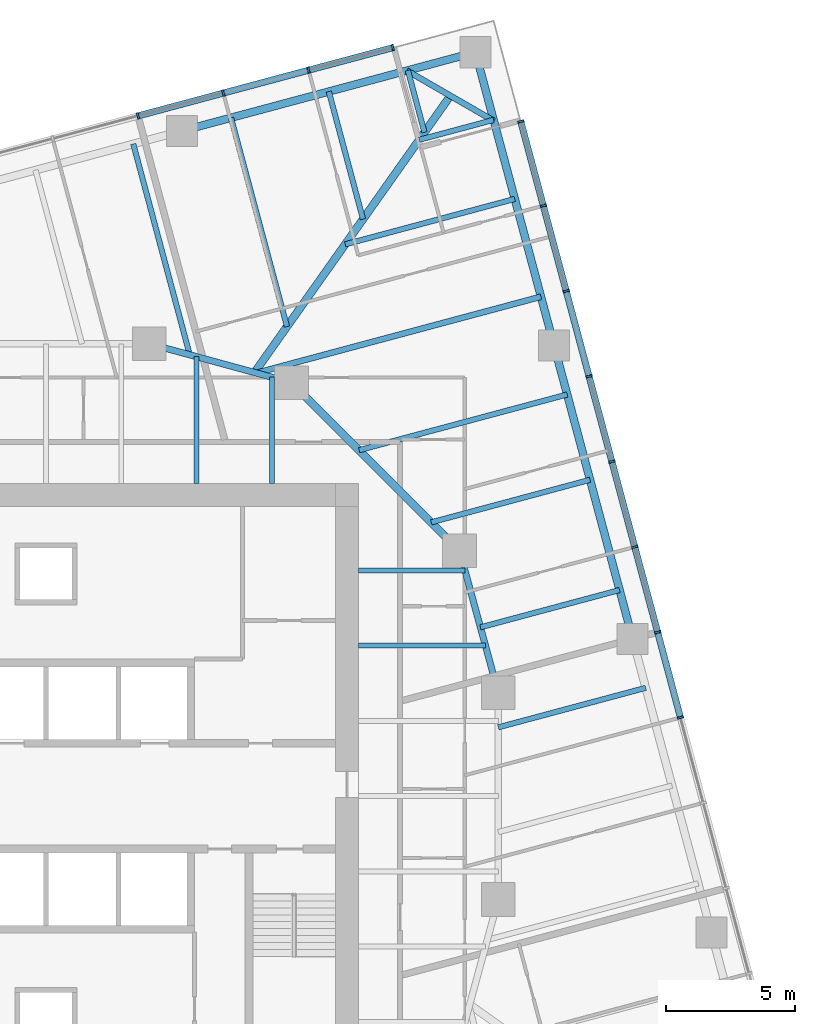
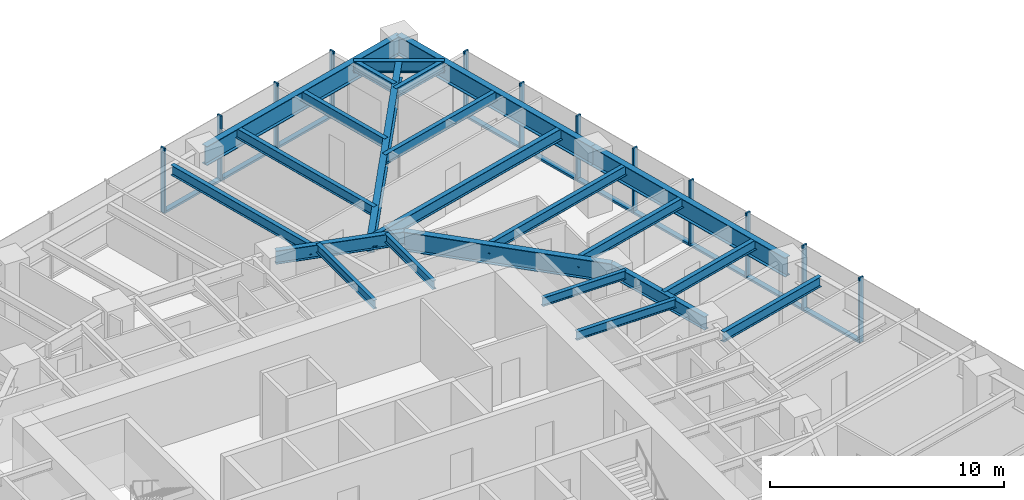
# One storey, part 6 of 14: 23 beams, 22 members, 2 elements without a shape of their own.
"""IFC4 building model written with IfcOpenShell, lengths in metres."""

import ifcopenshell
import ifcopenshell.guid

model = None  # the IFC model being written
_history = None  # IfcOwnerHistory: only IFC2X3 demands one
_inside = {}  # id of a spatial element -> (the spatial element, [elements in it])
_under = {}  # id of a project, library or spatial element -> (it, [spatial elements below it])
_declared = {}  # id of a project -> (the project, [libraries it declares])
_typed = {}  # id of a type object -> (the type object, [elements of that type])
_made_of = {}  # id of a material, layer set ... -> (it, [elements and type objects made of it])


def new_model(schema):
    """Start an empty IFC model of exactly this schema.

    Asked for "IFC4X3", IfcOpenShell would pick the latest addendum, in which some entities
    have other attributes; the version numbers below select the first issue.
    IFC2X3 requires an IfcOwnerHistory on every rooted entity: one is made here for all.
    """
    global model, _history
    if schema == "IFC4X3":
        model = ifcopenshell.file(schema_version=(4, 3, 0, 0))
    else:
        model = ifcopenshell.file(schema=schema)
    _inside.clear()
    _under.clear()
    _declared.clear()
    _typed.clear()
    _made_of.clear()
    _history = None
    if model.schema == "IFC2X3":
        org = make("IfcOrganization", Name="unknown")
        user = make(
            "IfcPersonAndOrganization",
            ThePerson=make("IfcPerson", FamilyName="unknown"),
            TheOrganization=org,
        )
        app = make(
            "IfcApplication",
            ApplicationDeveloper=org,
            Version="unknown",
            ApplicationFullName="unknown",
            ApplicationIdentifier="unknown",
        )
        _history = make(
            "IfcOwnerHistory",
            OwningUser=user,
            OwningApplication=app,
            ChangeAction="ADDED",
            CreationDate=0,
        )
    return model


def make(cls, **values):
    """One entity of the class cls with the attributes given. An attribute that is None is left unset."""
    return model.create_entity(
        cls, **{name: value for name, value in values.items() if value is not None}
    )


def rooted(cls, **values):
    """An entity with a GlobalId (a new one), such as an element, a storey or a relation."""
    return make(cls, GlobalId=ifcopenshell.guid.new(), OwnerHistory=_history, **values)


def si_unit(unit_type, name, prefix=None):
    """IfcSIUnit, for example si_unit("LENGTHUNIT", "METRE", prefix="MILLI")."""
    return make("IfcSIUnit", UnitType=unit_type, Prefix=prefix, Name=name)


def assignment(units):
    """IfcUnitAssignment: the units of a project."""
    return None if units is None else make("IfcUnitAssignment", Units=units)


def point(xyz):
    """IfcCartesianPoint."""
    return None if xyz is None else make("IfcCartesianPoint", Coordinates=xyz)


def direction(xyz):
    """IfcDirection."""
    return None if xyz is None else make("IfcDirection", DirectionRatios=xyz)


def frame(location, z_axis=None, x_axis=None):
    """IfcAxis2Placement3D, a coordinate frame: its origin and axes. An axis left out is left unset."""
    return make(
        "IfcAxis2Placement3D",
        Location=point(location),
        Axis=direction(z_axis),
        RefDirection=direction(x_axis),
    )


def frame_2d(location, x_axis=None):
    """IfcAxis2Placement2D, a coordinate frame in the plane: its origin and x axis."""
    return make(
        "IfcAxis2Placement2D", Location=point(location), RefDirection=direction(x_axis)
    )


def origin():
    """The frame at (0, 0, 0) with its axes left unset."""
    return frame((0.0, 0.0, 0.0))


def origin_2d():
    """The frame at (0, 0) in the plane with its x axis left unset."""
    return frame_2d((0.0, 0.0))


def place(relative_to, where):
    """IfcLocalPlacement: puts the frame where relative to a parent placement (None: the world)."""
    return make(
        "IfcLocalPlacement", PlacementRelTo=relative_to, RelativePlacement=where
    )


def context(
    kind, dimensions, precision=None, world=None, true_north=None, identifier=None
):
    """IfcGeometricRepresentationContext, for example the 3D "Model" context."""
    return make(
        "IfcGeometricRepresentationContext",
        ContextIdentifier=identifier,
        ContextType=kind,
        CoordinateSpaceDimension=dimensions,
        Precision=precision,
        WorldCoordinateSystem=world,
        TrueNorth=true_north,
    )


def subcontext(parent, identifier, kind, view, scale=None):
    """IfcGeometricRepresentationSubContext, for example "Body" below "Model"."""
    return make(
        "IfcGeometricRepresentationSubContext",
        ContextIdentifier=identifier,
        ContextType=kind,
        ParentContext=parent,
        TargetScale=scale,
        TargetView=view,
    )


def project(units=None, contexts=None):
    """IfcProject with its units and contexts."""
    return rooted(
        "IfcProject",
        Name="project",
        RepresentationContexts=contexts,
        UnitsInContext=assignment(units),
    )


def spatial(cls, under=None, at=None, **own):
    """A site, building, storey or space (cls), placed at a placement, below another one or the project."""
    s = rooted(cls, ObjectPlacement=at, **own)
    if under is not None:
        _under.setdefault(under.id(), (under, []))[1].append(s)
    return s


def profile(cls, at=None, kind="AREA", **sizes):
    """A parametric profile (cls). Its sizes go by their IFC names, for example OverallWidth=200.0."""
    return make(cls, ProfileType=kind, Position=at, **sizes)


def rectangle(**sizes):
    """IfcRectangleProfileDef."""
    return profile("IfcRectangleProfileDef", **sizes)


def i_section(**sizes):
    """IfcIShapeProfileDef."""
    return profile("IfcIShapeProfileDef", **sizes)


def extrude(swept, where, along, depth):
    """IfcExtrudedAreaSolid: the profile swept, set in the frame where, extruded along a direction by depth."""
    return make(
        "IfcExtrudedAreaSolid",
        SweptArea=swept,
        Position=where,
        ExtrudedDirection=direction(along),
        Depth=depth,
    )


def shape(context_of_items, identifier, shape_type, items):
    """IfcShapeRepresentation: the items that make up one representation, for example the "Body"."""
    return make(
        "IfcShapeRepresentation",
        ContextOfItems=context_of_items,
        RepresentationIdentifier=identifier,
        RepresentationType=shape_type,
        Items=items,
    )


def material(Name=None, Category=None):
    """IfcMaterial."""
    return make("IfcMaterial", Name=Name, Category=Category)


def material_profile(
    of_material, cross_section, Name=None, Category=None, Priority=None
):
    """IfcMaterialProfile: a cross section and its material."""
    return make(
        "IfcMaterialProfile",
        Name=Name,
        Material=of_material,
        Profile=cross_section,
        Priority=Priority,
        Category=Category,
    )


def profile_set(profiles, Name=None, composite=None):
    """IfcMaterialProfileSet."""
    return make(
        "IfcMaterialProfileSet",
        Name=Name,
        MaterialProfiles=profiles,
        CompositeProfile=composite,
    )


def made_of(thing, what):
    """Note that an element or type object is made of a material, layer set ...; save() writes the relation."""
    if what is not None:
        _made_of.setdefault(what.id(), (what, []))[1].append(thing)
    return thing


def type_object(cls, material=None, **own):
    """A type object (cls), such as IfcWallType, which elements share."""
    return made_of(rooted(cls, **own), material)


def element(
    cls,
    number,
    at=None,
    inside=None,
    cuts=None,
    type_object=None,
    material=None,
    context=None,
    identifier="Body",
    shape_type=None,
    held_by="IfcProductDefinitionShape",
    body=None,
    shapes=None,
    **own,
):
    """One element of the class cls, such as IfcWall. Its Tag is "e" and its number.

    at: its placement. inside: the storey or other place that contains it. cuts: it is an
    opening in that element (IfcRelVoidsElement). A single representation is given by context,
    identifier, shape_type and body (its items); several are given by shapes. held_by: the class
    of the entity that holds the representations. save() writes the other relations.
    """
    e = rooted(cls, Tag="e%d" % number, ObjectPlacement=at, **own)
    if body is not None:
        shapes = [shape(context, identifier, shape_type, body)]
    if shapes is not None:
        e.Representation = make(held_by, Representations=shapes)
    if inside is not None:
        _inside.setdefault(inside.id(), (inside, []))[1].append(e)
    if cuts is not None:
        rooted(
            "IfcRelVoidsElement", RelatingBuildingElement=cuts, RelatedOpeningElement=e
        )
    if type_object is not None:
        _typed.setdefault(type_object.id(), (type_object, []))[1].append(e)
    return made_of(e, material)


def aggregate(whole, parts):
    """IfcRelAggregates: a whole, such as a stair, and the parts it consists of."""
    return rooted("IfcRelAggregates", RelatingObject=whole, RelatedObjects=parts)


def save(model, path):
    """Write the relations noted so far, then the file.

    IfcRelAggregates (storeys below a building ...), IfcRelContainedInSpatialStructure (elements
    in a storey), IfcRelDefinesByType, IfcRelAssociatesMaterial and IfcRelDeclares: one each for
    every whole, place, type object, material and project.
    """
    for whole, parts in _under.values():
        aggregate(whole, parts)
    for where, things in _inside.values():
        rooted(
            "IfcRelContainedInSpatialStructure",
            RelatedElements=things,
            RelatingStructure=where,
        )
    for kind, things in _typed.values():
        rooted("IfcRelDefinesByType", RelatedObjects=things, RelatingType=kind)
    for what, things in _made_of.values():
        rooted("IfcRelAssociatesMaterial", RelatedObjects=things, RelatingMaterial=what)
    for by, libraries in _declared.values():
        rooted("IfcRelDeclares", RelatingContext=by, RelatedDefinitions=libraries)
    model.write(path)


model = new_model("IFC4")

# Units and contexts
model_context = context("Model", 3, precision=1e-05, world=origin(), true_north=direction((0.0, 1.0)))
body_context = subcontext(model_context, "Body", "Model", "MODEL_VIEW")
ifc_project = project(units=[si_unit("LENGTHUNIT", "METRE"), si_unit("AREAUNIT", "SQUARE_METRE"), si_unit("VOLUMEUNIT", "CUBIC_METRE"), si_unit("PLANEANGLEUNIT", "RADIAN"), si_unit("MASSUNIT", "GRAM", prefix="KILO")], contexts=[model_context])

# Site, building, storey
site_placement = place(None, origin())
site = spatial("IfcSite", under=ifc_project, at=site_placement, CompositionType="ELEMENT")
building_placement = place(site_placement, origin())
building = spatial("IfcBuilding", under=site, at=building_placement, Name="Torsade Residences", CompositionType="ELEMENT")
storey_placement = place(building_placement, frame((0.0, 0.0, 128.60009765625)))
storey = spatial("IfcBuildingStorey", under=building, at=storey_placement, Name="L35", CompositionType="ELEMENT", Elevation=128.60009765625)

# Beams
ifc_material_1 = material(Name="Steel grade 300", Category="steel")
ifc_material_profile_1 = material_profile(ifc_material_1, i_section(OverallWidth=0.300048828125, OverallDepth=0.89990234375, WebThickness=0.011962890625, FlangeThickness=0.02490234375, at=origin_2d()), Name="900WB175")
ifc_profile_set_1 = profile_set([ifc_material_profile_1], Name="Steel grade 300")
beam_type_1 = type_object("IfcBeamType", Name="CORNER GIRDER 900WB175", PredefinedType="BEAM", material=ifc_profile_set_1)
beam_1_placement = place(storey_placement, frame((55.644775390625, 57.097412109375, 2.7998046875), z_axis=(-0.577683167004, -0.816261084801, 0.0), x_axis=(0.816261084801, -0.577683167004, 0.0)))
element("IfcBeam", 1, at=beam_1_placement, inside=storey, type_object=beam_type_1, Name="Corner girder 09 L36", PredefinedType="BEAM", context=body_context, shape_type="SweptSolid", body=[
    extrude(i_section(OverallWidth=0.300048828125, OverallDepth=0.89990234375, WebThickness=0.011962890625, FlangeThickness=0.02490234375, at=origin_2d()), origin(), (0.0, 0.0, 1.0), 13.116943359375),
])
ifc_material_2 = material(Name="Steel grade 300", Category="steel")
ifc_material_profile_2 = material_profile(ifc_material_2, i_section(OverallWidth=0.22802734375, OverallDepth=0.60205078125, WebThickness=0.010498046875, FlangeThickness=0.014892578125, FilletRadius=0.013916015625, at=origin_2d()), Name="610UB101")
ifc_profile_set_2 = profile_set([ifc_material_profile_2], Name="Steel grade 300")
beam_type_2 = type_object("IfcBeamType", Name="CORNER TRIMMER 610UB101", PredefinedType="BEAM", material=ifc_profile_set_2)
beam_2_placement = place(storey_placement, frame((53.960693359375, 58.06982421875, 2.948974609375), z_axis=(0.866028782848, -0.499994147244, 0.0), x_axis=(0.499994147244, 0.866028782848, 0.0)))
element("IfcBeam", 2, at=beam_2_placement, inside=storey, type_object=beam_type_2, Name="Corner trimmer 09 L36", PredefinedType="BEAM", context=body_context, shape_type="SweptSolid", body=[
    extrude(i_section(OverallWidth=0.22802734375, OverallDepth=0.60205078125, WebThickness=0.010498046875, FlangeThickness=0.014892578125, FilletRadius=0.013916015625, at=origin_2d()), origin(), (0.0, 0.0, 1.0), 3.88916015625),
])
ifc_material_3 = material(Name="Steel grade 300", Category="steel")
ifc_material_profile_3 = material_profile(ifc_material_3, i_section(OverallWidth=0.300048828125, OverallDepth=1.0, WebThickness=0.01611328125, FlangeThickness=0.028076171875, at=origin_2d()), Name="1000WB215")
ifc_profile_set_3 = profile_set([ifc_material_profile_3], Name="Steel grade 300")
beam_type_3 = type_object("IfcBeamType", Name="EDGE BEAM 1000WB215", PredefinedType="SPANDREL", material=ifc_profile_set_3)
for number, where, z_axis, x_axis, name in (
    (3, (62.69921875, 36.082275390625, 2.75), (-0.258810863021, 0.965928018634, 0.0), (-0.965928018634, -0.258810863021, 0.0), "Edge beam 07 L36"),
    (4, (59.658203125, 47.431884765625, 2.75), (-0.258830249097, 0.965922824118, 0.0), (-0.965922824118, -0.258830249097, 0.0), "Edge beam 08 L36"),
    (5, (56.616943359375, 58.781494140625, 2.75), (-0.965928018634, -0.258810863021, 0.0), (0.258810863021, -0.965928018634, 0.0), "Edge beam 09 L36"),
):
    element("IfcBeam", number, at=place(storey_placement, frame(where, z_axis=z_axis, x_axis=x_axis)), inside=storey, type_object=beam_type_3, Name=name, PredefinedType="SPANDREL", context=body_context, shape_type="SweptSolid", body=[
        extrude(i_section(OverallWidth=0.300048828125, OverallDepth=1.0, WebThickness=0.01611328125, FlangeThickness=0.028076171875, at=origin_2d()), origin(), (0.0, 0.0, 1.0), 11.75),
    ])
ifc_material_4 = material(Name="Steel grade 300", Category="steel")
ifc_material_profile_4 = material_profile(ifc_material_4, i_section(OverallWidth=0.18994140625, OverallDepth=0.4541015625, WebThickness=0.008544921875, FlangeThickness=0.0126953125, FilletRadius=0.011474609375, at=origin_2d()), Name="460UB67.1")
ifc_profile_set_4 = profile_set([ifc_material_profile_4], Name="Steel grade 300")
beam_type_4 = type_object("IfcBeamType", Name="INNER FLOOR BEAM 460UB67.1", PredefinedType="JOIST", material=ifc_profile_set_4)
beam_3_placement = place(storey_placement, frame((45.824951171875, 42.10009765625, 3.02294921875), z_axis=(0.0, 1.0, 0.0), x_axis=(-1.0, 0.0, 0.0)))
element("IfcBeam", 6, at=beam_3_placement, inside=storey, type_object=beam_type_4, Name="Inner floor beam IN06 L36", PredefinedType="JOIST", context=body_context, shape_type="SweptSolid", body=[
    extrude(i_section(OverallWidth=0.18994140625, OverallDepth=0.4541015625, WebThickness=0.008544921875, FlangeThickness=0.0126953125, FilletRadius=0.011474609375, at=origin_2d()), origin(), (0.0, 0.0, 1.0), 4.902099609375),
])
beam_4_placement = place(storey_placement, frame((48.737548828125, 42.10009765625, 3.02294921875), z_axis=(0.0, 1.0, 0.0), x_axis=(-1.0, 0.0, 0.0)))
element("IfcBeam", 7, at=beam_4_placement, inside=storey, type_object=beam_type_4, Name="Inner floor beam IN07 L36", PredefinedType="JOIST", context=body_context, shape_type="SweptSolid", body=[
    extrude(i_section(OverallWidth=0.18994140625, OverallDepth=0.4541015625, WebThickness=0.008544921875, FlangeThickness=0.0126953125, FilletRadius=0.011474609375, at=origin_2d()), origin(), (0.0, 0.0, 1.0), 4.10791015625),
])
beam_5_placement = place(storey_placement, frame((52.10009765625, 35.824951171875, 3.02294921875), z_axis=(1.0, 0.0, 0.0), x_axis=(0.0, 1.0, 0.0)))
element("IfcBeam", 8, at=beam_5_placement, inside=storey, type_object=beam_type_4, Name="Inner floor beam IE06 L36", PredefinedType="JOIST", context=body_context, shape_type="SweptSolid", body=[
    extrude(i_section(OverallWidth=0.18994140625, OverallDepth=0.4541015625, WebThickness=0.008544921875, FlangeThickness=0.0126953125, FilletRadius=0.011474609375, at=origin_2d()), origin(), (0.0, 0.0, 1.0), 4.902099609375),
])
beam_6_placement = place(storey_placement, frame((52.10009765625, 38.737548828125, 3.02294921875), z_axis=(1.0, 0.0, 0.0), x_axis=(0.0, 1.0, 0.0)))
element("IfcBeam", 9, at=beam_6_placement, inside=storey, type_object=beam_type_4, Name="Inner floor beam IE07 L36", PredefinedType="JOIST", context=body_context, shape_type="SweptSolid", body=[
    extrude(i_section(OverallWidth=0.18994140625, OverallDepth=0.4541015625, WebThickness=0.008544921875, FlangeThickness=0.0126953125, FilletRadius=0.011474609375, at=origin_2d()), origin(), (0.0, 0.0, 1.0), 4.10791015625),
])

# Curtain wall, members
ifc_material_5 = material(Name="Aluminium and glass", Category="aluminium")
curtain_wall_type = type_object("IfcCurtainWallType", Name="FRITTED GLASS CURTAIN WALL MID ZONE", PredefinedType="NOTDEFINED", material=ifc_material_5)
curtain_wall_1_placement = place(storey_placement, origin())
curtain_wall_1 = element("IfcCurtainWall", 10, at=curtain_wall_1_placement, inside=storey, type_object=curtain_wall_type, Name="Curtain wall L35 face 4", PredefinedType="NOTDEFINED")
ifc_material_6 = material(Name="Aluminium mullion", Category="aluminium")
ifc_material_profile_5 = material_profile(ifc_material_6, rectangle(XDim=0.25, YDim=0.080078125, at=origin_2d()), Name="MID ZONE CURTAIN WALL MULLION 250x80")
ifc_profile_set_5 = profile_set([ifc_material_profile_5], Name="Aluminium mullion")
member_type_1 = type_object("IfcMemberType", Name="MID ZONE CURTAIN WALL MULLION 250x80", PredefinedType="MULLION", material=ifc_profile_set_5)
member_1_placement = place(storey_placement, frame((64.549560546875, 33.040771484375, 0.0), z_axis=(0.0, 0.0, 1.0), x_axis=(-0.965925825571, -0.258819047783, 0.0)))
member_1 = element("IfcMember", 11, at=member_1_placement, type_object=member_type_1, Name="Mullion 6", PredefinedType="MULLION", context=body_context, shape_type="SweptSolid", body=[
    extrude(rectangle(XDim=0.25, YDim=0.080078125, at=origin_2d()), origin(), (0.0, 0.0, 1.0), 3.39990234375),
])
member_2_placement = place(storey_placement, frame((63.665283203125, 36.341064453125, 0.0), z_axis=(0.0, 0.0, 1.0), x_axis=(-0.965925825571, -0.258819047783, 0.0)))
member_2 = element("IfcMember", 12, at=member_2_placement, type_object=member_type_1, Name="Mullion 7", PredefinedType="MULLION", context=body_context, shape_type="SweptSolid", body=[
    extrude(rectangle(XDim=0.25, YDim=0.080078125, at=origin_2d()), origin(), (0.0, 0.0, 1.0), 3.39990234375),
])
member_3_placement = place(storey_placement, frame((62.781005859375, 39.641357421875, 0.0), z_axis=(0.0, 0.0, 1.0), x_axis=(-0.965925825571, -0.258819047783, 0.0)))
member_3 = element("IfcMember", 13, at=member_3_placement, type_object=member_type_1, Name="Mullion 8", PredefinedType="MULLION", context=body_context, shape_type="SweptSolid", body=[
    extrude(rectangle(XDim=0.25, YDim=0.080078125, at=origin_2d()), origin(), (0.0, 0.0, 1.0), 3.39990234375),
])
member_4_placement = place(storey_placement, frame((61.896484375, 42.941650390625, 0.0), z_axis=(0.0, 0.0, 1.0), x_axis=(-0.965925825571, -0.258819047783, 0.0)))
member_4 = element("IfcMember", 14, at=member_4_placement, type_object=member_type_1, Name="Mullion 9", PredefinedType="MULLION", context=body_context, shape_type="SweptSolid", body=[
    extrude(rectangle(XDim=0.25, YDim=0.080078125, at=origin_2d()), origin(), (0.0, 0.0, 1.0), 3.39990234375),
])
member_5_placement = place(storey_placement, frame((61.01220703125, 46.24169921875, 0.0), z_axis=(0.0, 0.0, 1.0), x_axis=(-0.965925825571, -0.258819047783, 0.0)))
member_5 = element("IfcMember", 15, at=member_5_placement, type_object=member_type_1, Name="Mullion 10", PredefinedType="MULLION", context=body_context, shape_type="SweptSolid", body=[
    extrude(rectangle(XDim=0.25, YDim=0.080078125, at=origin_2d()), origin(), (0.0, 0.0, 1.0), 3.39990234375),
])
member_6_placement = place(storey_placement, frame((60.1279296875, 49.5419921875, 0.0), z_axis=(0.0, 0.0, 1.0), x_axis=(-0.965925825571, -0.258819047783, 0.0)))
member_6 = element("IfcMember", 16, at=member_6_placement, type_object=member_type_1, Name="Mullion 11", PredefinedType="MULLION", context=body_context, shape_type="SweptSolid", body=[
    extrude(rectangle(XDim=0.25, YDim=0.080078125, at=origin_2d()), origin(), (0.0, 0.0, 1.0), 3.39990234375),
])
member_7_placement = place(storey_placement, frame((59.24365234375, 52.84228515625, 0.0), z_axis=(0.0, 0.0, 1.0), x_axis=(-0.965925825571, -0.258819047783, 0.0)))
member_7 = element("IfcMember", 17, at=member_7_placement, type_object=member_type_1, Name="Mullion 12", PredefinedType="MULLION", context=body_context, shape_type="SweptSolid", body=[
    extrude(rectangle(XDim=0.25, YDim=0.080078125, at=origin_2d()), origin(), (0.0, 0.0, 1.0), 3.39990234375),
])
member_8_placement = place(storey_placement, frame((58.36962890625, 56.10400390625, 0.0), z_axis=(0.0, 0.0, 1.0), x_axis=(-0.965925825571, -0.258819047783, 0.0)))
member_8 = element("IfcMember", 18, at=member_8_placement, type_object=member_type_1, Name="Mullion 13", PredefinedType="MULLION", context=body_context, shape_type="SweptSolid", body=[
    extrude(rectangle(XDim=0.25, YDim=0.080078125, at=origin_2d()), origin(), (0.0, 0.0, 1.0), 3.39990234375),
])

curtain_wall_2_placement = place(storey_placement, origin())
curtain_wall_2 = element("IfcCurtainWall", 19, at=curtain_wall_2_placement, inside=storey, type_object=curtain_wall_type, Name="Curtain wall L35 face 7", PredefinedType="NOTDEFINED")
member_9_placement = place(storey_placement, frame((53.421875, 58.960693359375, 0.0), z_axis=(0.0, 0.0, 1.0), x_axis=(0.258819047783, -0.965925825571, 0.0)))
member_9 = element("IfcMember", 20, at=member_9_placement, type_object=member_type_1, Name="Mullion 1", PredefinedType="MULLION", context=body_context, shape_type="SweptSolid", body=[
    extrude(rectangle(XDim=0.25, YDim=0.080078125, at=origin_2d()), origin(), (0.0, 0.0, 1.0), 3.39990234375),
])
member_10_placement = place(storey_placement, frame((50.16015625, 58.086669921875, 0.0), z_axis=(0.0, 0.0, 1.0), x_axis=(0.258819047783, -0.965925825571, 0.0)))
member_10 = element("IfcMember", 21, at=member_10_placement, type_object=member_type_1, Name="Mullion 2", PredefinedType="MULLION", context=body_context, shape_type="SweptSolid", body=[
    extrude(rectangle(XDim=0.25, YDim=0.080078125, at=origin_2d()), origin(), (0.0, 0.0, 1.0), 3.39990234375),
])
member_11_placement = place(storey_placement, frame((46.85986328125, 57.202392578125, 0.0), z_axis=(0.0, 0.0, 1.0), x_axis=(0.258819047783, -0.965925825571, 0.0)))
member_11 = element("IfcMember", 22, at=member_11_placement, type_object=member_type_1, Name="Mullion 3", PredefinedType="MULLION", context=body_context, shape_type="SweptSolid", body=[
    extrude(rectangle(XDim=0.25, YDim=0.080078125, at=origin_2d()), origin(), (0.0, 0.0, 1.0), 3.39990234375),
])
member_12_placement = place(storey_placement, frame((43.5595703125, 56.318115234375, 0.0), z_axis=(0.0, 0.0, 1.0), x_axis=(0.258819047783, -0.965925825571, 0.0)))
member_12 = element("IfcMember", 23, at=member_12_placement, type_object=member_type_1, Name="Mullion 4", PredefinedType="MULLION", context=body_context, shape_type="SweptSolid", body=[
    extrude(rectangle(XDim=0.25, YDim=0.080078125, at=origin_2d()), origin(), (0.0, 0.0, 1.0), 3.39990234375),
])

# Member
ifc_material_7 = material(Name="Aluminium transom", Category="aluminium")
ifc_material_profile_6 = material_profile(ifc_material_7, rectangle(XDim=0.25, YDim=0.110107421875, at=origin_2d()), Name="MID ZONE CURTAIN WALL TRANSOM 250x110")
ifc_profile_set_6 = profile_set([ifc_material_profile_6], Name="Aluminium transom")
member_type_2 = type_object("IfcMemberType", Name="MID ZONE CURTAIN WALL TRANSOM 250x110", PredefinedType="USERDEFINED", material=ifc_profile_set_6)
member_13_placement = place(storey_placement, frame((64.5390625, 33.079345703125, 0.054931640625), z_axis=(-0.258787285653, 0.965934335648, 0.0), x_axis=(-0.965934335648, -0.258787285653, 0.0)))
member_13 = element("IfcMember", 24, at=member_13_placement, type_object=member_type_2, Name="Transom 6.1", ObjectType="TRANSOM", PredefinedType="USERDEFINED", context=body_context, shape_type="SweptSolid", body=[
    extrude(rectangle(XDim=0.25, YDim=0.110107421875, at=origin_2d()), origin(), (0.0, 0.0, 1.0), 3.3369140625),
])

member_14_placement = place(storey_placement, frame((63.65478515625, 36.379638671875, 0.054931640625), z_axis=(-0.258787285653, 0.965934335648, 0.0), x_axis=(-0.965934335648, -0.258787285653, 0.0)))
member_14 = element("IfcMember", 25, at=member_14_placement, type_object=member_type_2, Name="Transom 7.1", ObjectType="TRANSOM", PredefinedType="USERDEFINED", context=body_context, shape_type="SweptSolid", body=[
    extrude(rectangle(XDim=0.25, YDim=0.110107421875, at=origin_2d()), origin(), (0.0, 0.0, 1.0), 3.3369140625),
])

member_15_placement = place(storey_placement, frame((62.7705078125, 39.679931640625, 0.054931640625), z_axis=(-0.258805576255, 0.965929435155, 0.0), x_axis=(-0.965929435155, -0.258805576255, 0.0)))
member_15 = element("IfcMember", 26, at=member_15_placement, type_object=member_type_2, Name="Transom 8.1", ObjectType="TRANSOM", PredefinedType="USERDEFINED", context=body_context, shape_type="SweptSolid", body=[
    extrude(rectangle(XDim=0.25, YDim=0.110107421875, at=origin_2d()), origin(), (0.0, 0.0, 1.0), 3.336669921875),
])

member_16_placement = place(storey_placement, frame((61.88623046875, 42.980224609375, 0.054931640625), z_axis=(-0.258805576255, 0.965929435155, 0.0), x_axis=(-0.965929435155, -0.258805576255, 0.0)))
member_16 = element("IfcMember", 27, at=member_16_placement, type_object=member_type_2, Name="Transom 9.1", ObjectType="TRANSOM", PredefinedType="USERDEFINED", context=body_context, shape_type="SweptSolid", body=[
    extrude(rectangle(XDim=0.25, YDim=0.110107421875, at=origin_2d()), origin(), (0.0, 0.0, 1.0), 3.336669921875),
])

member_17_placement = place(storey_placement, frame((61.001953125, 46.280517578125, 0.054931640625), z_axis=(-0.258805576255, 0.965929435155, 0.0), x_axis=(-0.965929435155, -0.258805576255, 0.0)))
member_17 = element("IfcMember", 28, at=member_17_placement, type_object=member_type_2, Name="Transom 10.1", ObjectType="TRANSOM", PredefinedType="USERDEFINED", context=body_context, shape_type="SweptSolid", body=[
    extrude(rectangle(XDim=0.25, YDim=0.110107421875, at=origin_2d()), origin(), (0.0, 0.0, 1.0), 3.336669921875),
])

member_18_placement = place(storey_placement, frame((60.11767578125, 49.580810546875, 0.054931640625), z_axis=(-0.258805576255, 0.965929435155, 0.0), x_axis=(-0.965929435155, -0.258805576255, 0.0)))
member_18 = element("IfcMember", 29, at=member_18_placement, type_object=member_type_2, Name="Transom 11.1", ObjectType="TRANSOM", PredefinedType="USERDEFINED", context=body_context, shape_type="SweptSolid", body=[
    extrude(rectangle(XDim=0.25, YDim=0.110107421875, at=origin_2d()), origin(), (0.0, 0.0, 1.0), 3.336669921875),
])

member_19_placement = place(storey_placement, frame((59.2333984375, 52.880859375, 0.054931640625), z_axis=(-0.258828627534, 0.965923258633, 0.0), x_axis=(-0.965923258633, -0.258828627534, 0.0)))
member_19 = element("IfcMember", 30, at=member_19_placement, type_object=member_type_2, Name="Transom 12.1", ObjectType="TRANSOM", PredefinedType="USERDEFINED", context=body_context, shape_type="SweptSolid", body=[
    extrude(rectangle(XDim=0.25, YDim=0.110107421875, at=origin_2d()), origin(), (0.0, 0.0, 1.0), 3.296630859375),
])

aggregate(curtain_wall_1, [member_1, member_2, member_3, member_4, member_5, member_6, member_7, member_8, member_13, member_14, member_15, member_16, member_17, member_18, member_19])

member_20_placement = place(storey_placement, frame((53.383056640625, 58.9501953125, 0.054931640625), z_axis=(-0.965923258633, -0.258828627534, 0.0), x_axis=(0.258828627534, -0.965923258633, 0.0)))
member_20 = element("IfcMember", 31, at=member_20_placement, type_object=member_type_2, Name="Transom 1.1", ObjectType="TRANSOM", PredefinedType="USERDEFINED", context=body_context, shape_type="SweptSolid", body=[
    extrude(rectangle(XDim=0.25, YDim=0.110107421875, at=origin_2d()), origin(), (0.0, 0.0, 1.0), 3.296630859375),
])

member_21_placement = place(storey_placement, frame((50.12158203125, 58.076416015625, 0.054931640625), z_axis=(-0.965916044226, -0.258855549498, 0.0), x_axis=(0.258855549498, -0.965916044226, 0.0)))
member_21 = element("IfcMember", 32, at=member_21_placement, type_object=member_type_2, Name="Transom 2.1", ObjectType="TRANSOM", PredefinedType="USERDEFINED", context=body_context, shape_type="SweptSolid", body=[
    extrude(rectangle(XDim=0.25, YDim=0.110107421875, at=origin_2d()), origin(), (0.0, 0.0, 1.0), 3.3369140625),
])

member_22_placement = place(storey_placement, frame((46.8212890625, 57.192138671875, 0.054931640625), z_axis=(-0.96591114124, -0.258873844232, 0.0), x_axis=(0.258873844232, -0.96591114124, 0.0)))
member_22 = element("IfcMember", 33, at=member_22_placement, type_object=member_type_2, Name="Transom 3.1", ObjectType="TRANSOM", PredefinedType="USERDEFINED", context=body_context, shape_type="SweptSolid", body=[
    extrude(rectangle(XDim=0.25, YDim=0.110107421875, at=origin_2d()), origin(), (0.0, 0.0, 1.0), 3.336669921875),
])

aggregate(curtain_wall_2, [member_9, member_10, member_11, member_12, member_20, member_21, member_22])

# Beams
ifc_material_8 = material(Name="Steel grade 300", Category="steel")
ifc_material_profile_7 = material_profile(ifc_material_8, i_section(OverallWidth=0.300048828125, OverallDepth=1.0, WebThickness=0.01611328125, FlangeThickness=0.028076171875, at=origin_2d()), Name="1000WB215")
ifc_profile_set_7 = profile_set([ifc_material_profile_7], Name="Steel grade 300")
beam_type_5 = type_object("IfcBeamType", Name="RING CORNER GIRDER 1000WB215", PredefinedType="BEAM", material=ifc_profile_set_7)
beam_7_placement = place(storey_placement, frame((56.0, 39.5, 2.75), z_axis=(-0.707106781187, 0.707106781187, 0.0), x_axis=(-0.707106781187, -0.707106781187, 0.0)))
element("IfcBeam", 34, at=beam_7_placement, inside=storey, type_object=beam_type_5, Name="Ring girder IR03 L36", PredefinedType="BEAM", context=body_context, shape_type="SweptSolid", body=[
    extrude(i_section(OverallWidth=0.300048828125, OverallDepth=1.0, WebThickness=0.01611328125, FlangeThickness=0.028076171875, at=origin_2d()), origin(), (0.0, 0.0, 1.0), 9.1923828125),
])
ifc_material_9 = material(Name="Steel grade 300", Category="steel")
ifc_material_profile_8 = material_profile(ifc_material_9, i_section(OverallWidth=0.25, OverallDepth=0.699951171875, WebThickness=0.010009765625, FlangeThickness=0.02001953125, at=origin_2d()), Name="700WB130")
ifc_profile_set_8 = profile_set([ifc_material_profile_8], Name="Steel grade 300")
beam_type_6 = type_object("IfcBeamType", Name="RING GIRDER 700WB130", PredefinedType="BEAM", material=ifc_profile_set_8)
for number, where, z_axis, x_axis, name in (
    (35, (57.5, 34.0, 2.89990234375), (-0.263117405792, 0.964763821238, 0.0), (-0.964763821238, -0.263117405792, 0.0), "Ring girder IR02 L36"),
    (36, (49.5, 46.0, 2.89990234375), (-0.964763821238, 0.263117405792, 0.0), (-0.263117405792, -0.964763821238, 0.0), "Ring girder IR04 L36"),
):
    element("IfcBeam", number, at=place(storey_placement, frame(where, z_axis=z_axis, x_axis=x_axis)), inside=storey, type_object=beam_type_6, Name=name, PredefinedType="BEAM", context=body_context, shape_type="SweptSolid", body=[
        extrude(i_section(OverallWidth=0.25, OverallDepth=0.699951171875, WebThickness=0.010009765625, FlangeThickness=0.02001953125, at=origin_2d()), origin(), (0.0, 0.0, 1.0), 5.700927734375),
    ])
ifc_material_10 = material(Name="Steel grade 300", Category="steel")
ifc_material_profile_9 = material_profile(ifc_material_10, i_section(OverallWidth=0.208984375, OverallDepth=0.528076171875, WebThickness=0.009521484375, FlangeThickness=0.01318359375, FilletRadius=0.013916015625, at=origin_2d()), Name="530UB82.0")
ifc_profile_set_9 = profile_set([ifc_material_profile_9], Name="Steel grade 300")
beam_type_7 = type_object("IfcBeamType", Name="SECONDARY BEAM 530UB82.0", PredefinedType="JOIST", material=ifc_profile_set_9)
beam_8_placement = place(storey_placement, frame((63.2060546875, 34.190673828125, 2.98583984375), z_axis=(-0.965920748174, -0.258837996141, 0.0), x_axis=(0.258837996141, -0.965920748174, 0.0)))
element("IfcBeam", 37, at=beam_8_placement, inside=storey, type_object=beam_type_7, Name="Floor beam FE06 L36", PredefinedType="JOIST", context=body_context, shape_type="SweptSolid", body=[
    extrude(i_section(OverallWidth=0.208984375, OverallDepth=0.528076171875, WebThickness=0.009521484375, FlangeThickness=0.01318359375, FilletRadius=0.013916015625, at=origin_2d()), origin(), (0.0, 0.0, 1.0), 5.907470703125),
])
beam_9_placement = place(storey_placement, frame((62.1923828125, 37.973876953125, 2.98583984375), z_axis=(-0.965923020144, -0.258829517553, 0.0), x_axis=(0.258829517553, -0.965923020144, 0.0)))
element("IfcBeam", 38, at=beam_9_placement, inside=storey, type_object=beam_type_7, Name="Floor beam FE07 L36", PredefinedType="JOIST", context=body_context, shape_type="SweptSolid", body=[
    extrude(i_section(OverallWidth=0.208984375, OverallDepth=0.528076171875, WebThickness=0.009521484375, FlangeThickness=0.01318359375, FilletRadius=0.013916015625, at=origin_2d()), origin(), (0.0, 0.0, 1.0), 5.57275390625),
])
beam_10_placement = place(storey_placement, frame((61.04931640625, 42.239990234375, 2.98583984375), z_axis=(-0.965929717932, -0.258804520856, 0.0), x_axis=(0.258804520856, -0.965929717932, 0.0)))
element("IfcBeam", 39, at=beam_10_placement, inside=storey, type_object=beam_type_7, Name="Floor beam FE08 L36", PredefinedType="JOIST", context=body_context, shape_type="SweptSolid", body=[
    extrude(i_section(OverallWidth=0.208984375, OverallDepth=0.528076171875, WebThickness=0.009521484375, FlangeThickness=0.01318359375, FilletRadius=0.013916015625, at=origin_2d()), origin(), (0.0, 0.0, 1.0), 6.360107421875),
])
beam_11_placement = place(storey_placement, frame((60.1650390625, 45.540283203125, 2.98583984375), z_axis=(-0.96592202475, -0.258833232221, 0.0), x_axis=(0.258833232221, -0.96592202475, 0.0)))
element("IfcBeam", 40, at=beam_11_placement, inside=storey, type_object=beam_type_7, Name="Floor beam FE09 L36", PredefinedType="JOIST", context=body_context, shape_type="SweptSolid", body=[
    extrude(i_section(OverallWidth=0.208984375, OverallDepth=0.528076171875, WebThickness=0.009521484375, FlangeThickness=0.01318359375, FilletRadius=0.013916015625, at=origin_2d()), origin(), (0.0, 0.0, 1.0), 8.33251953125),
])
beam_12_placement = place(storey_placement, frame((58.137451171875, 53.106689453125, 2.98583984375), z_axis=(-0.965927035229, -0.258814533235, 0.0), x_axis=(0.258814533235, -0.965927035229, 0.0)))
element("IfcBeam", 41, at=beam_12_placement, inside=storey, type_object=beam_type_7, Name="Floor beam FE11 L36", PredefinedType="JOIST", context=body_context, shape_type="SweptSolid", body=[
    extrude(i_section(OverallWidth=0.208984375, OverallDepth=0.528076171875, WebThickness=0.009521484375, FlangeThickness=0.01318359375, FilletRadius=0.013916015625, at=origin_2d()), origin(), (0.0, 0.0, 1.0), 6.792724609375),
])
beam_13_placement = place(storey_placement, frame((57.31787109375, 56.16552734375, 2.98583984375), z_axis=(-0.965913310475, -0.258865750242, 0.0), x_axis=(0.258865750242, -0.965913310475, 0.0)))
element("IfcBeam", 42, at=beam_13_placement, inside=storey, type_object=beam_type_7, Name="Floor beam FE12 L36", PredefinedType="JOIST", context=body_context, shape_type="SweptSolid", body=[
    extrude(i_section(OverallWidth=0.208984375, OverallDepth=0.528076171875, WebThickness=0.009521484375, FlangeThickness=0.01318359375, FilletRadius=0.013916015625, at=origin_2d()), origin(), (0.0, 0.0, 1.0), 2.980224609375),
])
beam_14_placement = place(storey_placement, frame((54.0009765625, 58.08056640625, 2.98583984375), z_axis=(0.258837674225, -0.965920834438, 0.0), x_axis=(0.965920834438, 0.258837674225, 0.0)))
element("IfcBeam", 43, at=beam_14_placement, inside=storey, type_object=beam_type_7, Name="Floor beam FN01 L36", PredefinedType="JOIST", context=body_context, shape_type="SweptSolid", body=[
    extrude(i_section(OverallWidth=0.208984375, OverallDepth=0.528076171875, WebThickness=0.009521484375, FlangeThickness=0.01318359375, FilletRadius=0.013916015625, at=origin_2d()), origin(), (0.0, 0.0, 1.0), 2.482666015625),
])
beam_15_placement = place(storey_placement, frame((50.942138671875, 57.260986328125, 2.98583984375), z_axis=(0.258815647274, -0.965926736728, 0.0), x_axis=(0.965926736728, 0.258815647274, 0.0)))
element("IfcBeam", 44, at=beam_15_placement, inside=storey, type_object=beam_type_7, Name="Floor beam FN02 L36", PredefinedType="JOIST", context=body_context, shape_type="SweptSolid", body=[
    extrude(i_section(OverallWidth=0.208984375, OverallDepth=0.528076171875, WebThickness=0.009521484375, FlangeThickness=0.01318359375, FilletRadius=0.013916015625, at=origin_2d()), origin(), (0.0, 0.0, 1.0), 5.11279296875),
])
beam_16_placement = place(storey_placement, frame((47.158935546875, 56.247314453125, 2.98583984375), z_axis=(0.258823120582, -0.965924734258, 0.0), x_axis=(0.965924734258, 0.258823120582, 0.0)))
element("IfcBeam", 45, at=beam_16_placement, inside=storey, type_object=beam_type_7, Name="Floor beam FN03 L36", PredefinedType="JOIST", context=body_context, shape_type="SweptSolid", body=[
    extrude(i_section(OverallWidth=0.208984375, OverallDepth=0.528076171875, WebThickness=0.009521484375, FlangeThickness=0.01318359375, FilletRadius=0.013916015625, at=origin_2d()), origin(), (0.0, 0.0, 1.0), 8.365966796875),
])
beam_17_placement = place(storey_placement, frame((43.375732421875, 55.233642578125, 2.98583984375), z_axis=(0.258808315464, -0.965928701223, 0.0), x_axis=(0.965928701223, 0.258808315464, 0.0)))
element("IfcBeam", 46, at=beam_17_placement, inside=storey, type_object=beam_type_7, Name="Floor beam FN04 L36", PredefinedType="JOIST", context=body_context, shape_type="SweptSolid", body=[
    extrude(i_section(OverallWidth=0.208984375, OverallDepth=0.528076171875, WebThickness=0.009521484375, FlangeThickness=0.01318359375, FilletRadius=0.013916015625, at=origin_2d()), origin(), (0.0, 0.0, 1.0), 8.447509765625),
])
ifc_material_11 = material(Name="Steel grade 300", Category="steel")
ifc_material_profile_10 = material_profile(ifc_material_11, i_section(OverallWidth=0.22900390625, OverallDepth=0.612060546875, WebThickness=0.011962890625, FlangeThickness=0.01953125, FilletRadius=0.013916015625, at=origin_2d()), Name="610UB125")
ifc_profile_set_10 = profile_set([ifc_material_profile_10], Name="Steel grade 300")
beam_type_8 = type_object("IfcBeamType", Name="SECONDARY BEAM 610UB125", PredefinedType="JOIST", material=ifc_profile_set_10)
beam_18_placement = place(storey_placement, frame((59.1513671875, 49.323486328125, 2.94384765625), z_axis=(-0.965929035417, -0.258807068179, 0.0), x_axis=(0.258807068179, -0.965929035417, 0.0)))
element("IfcBeam", 47, at=beam_18_placement, inside=storey, type_object=beam_type_8, Name="Floor beam FE10 L36", PredefinedType="JOIST", context=body_context, shape_type="SweptSolid", body=[
    extrude(i_section(OverallWidth=0.22900390625, OverallDepth=0.612060546875, WebThickness=0.011962890625, FlangeThickness=0.01953125, FilletRadius=0.013916015625, at=origin_2d()), origin(), (0.0, 0.0, 1.0), 11.40380859375),
])

save(model, "model.ifc")
